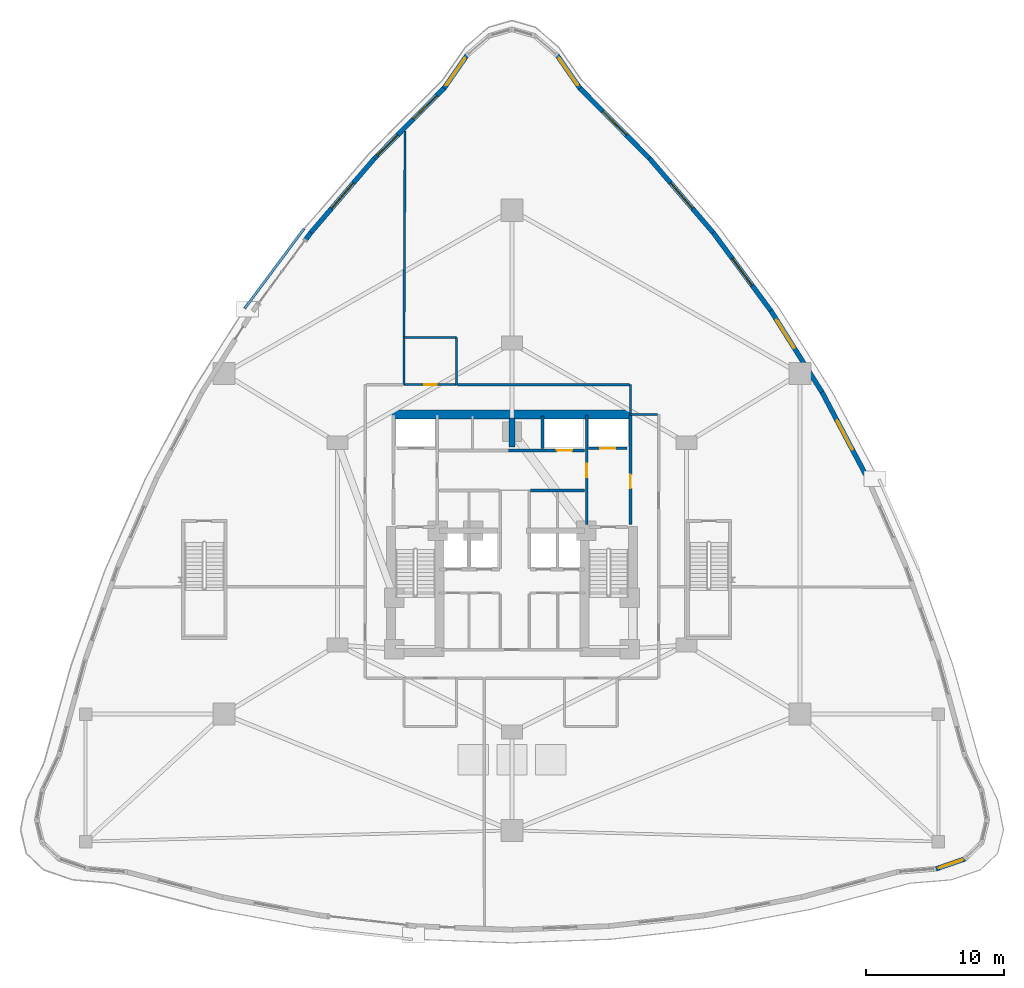
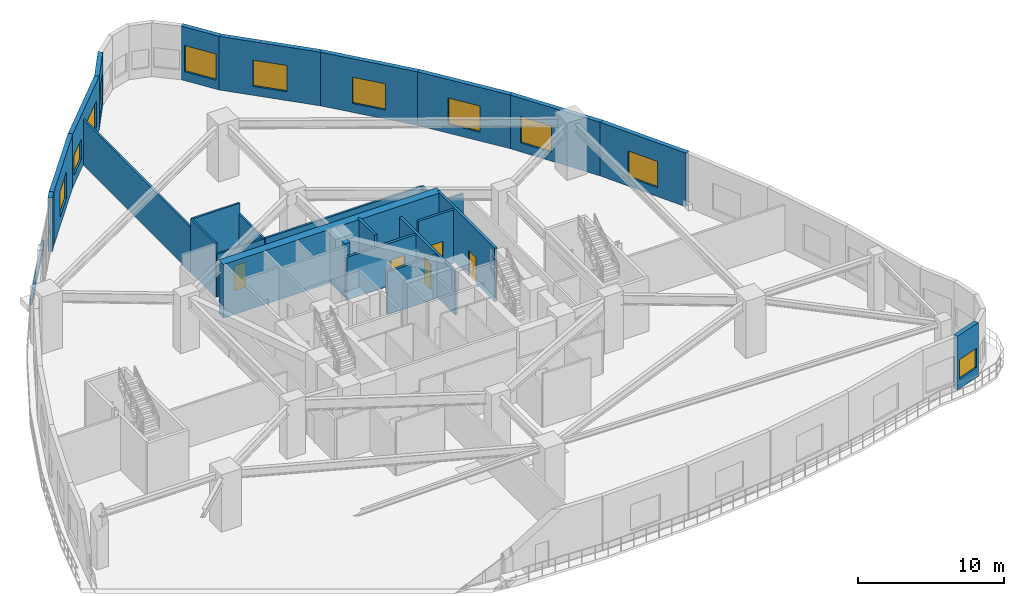
# One storey, part 18 of 23: 28 walls, 11 windows, 5 doors, 16 openings.
"""IFC4 building model written with IfcOpenShell, lengths in metres."""

from ifc_helpers import new_model, si_unit, direction, frame, frame_2d, origin, place, context, subcontext, project, spatial, rectangle, extrude, material, layer, layer_set, type_object, element, fill, save


model = new_model("IFC4")

# Units and contexts
model_context = context("Model", 3, precision=1e-05, world=origin(), true_north=direction((0.0, 1.0)))
body_context = subcontext(model_context, "Body", "Model", "MODEL_VIEW")
ifc_project = project(units=[si_unit("LENGTHUNIT", "METRE"), si_unit("AREAUNIT", "SQUARE_METRE"), si_unit("VOLUMEUNIT", "CUBIC_METRE"), si_unit("PLANEANGLEUNIT", "RADIAN"), si_unit("MASSUNIT", "GRAM", prefix="KILO")], contexts=[model_context])

# Site, building, storey
site_placement = place(None, origin())
site = spatial("IfcSite", under=ifc_project, at=site_placement, CompositionType="ELEMENT")
building_placement = place(site_placement, origin())
building = spatial("IfcBuilding", under=site, at=building_placement, Name="Miruveldt Soraemaru", CompositionType="ELEMENT")
storey_placement = place(building_placement, frame((0.0, 0.0, 9.60009765625)))
storey = spatial("IfcBuildingStorey", under=building, at=storey_placement, Name="L03", CompositionType="ELEMENT", Elevation=9.60009765625)

# Walls
ifc_material_1 = material(Name="Concrete C70/85 (70 MPa)", Category="concrete")
ifc_layer_1 = layer(ifc_material_1, 0.5, Name="Concrete C70/85 (70 MPa)", Category="concrete")
ifc_layer_set_1 = layer_set([ifc_layer_1], Name="Concrete C70/85 (70 MPa)")
wall_type_1 = type_object("IfcWallType", Name="WALL-BW-500", PredefinedType="SHEAR", material=ifc_layer_set_1)
wall_1_placement = place(storey_placement, frame((44.0, 50.10009765625, 0.0), z_axis=(0.0, 0.0, 1.0), x_axis=(0.0, 1.0, 0.0)))
element("IfcWall", 1, at=wall_1_placement, inside=storey, type_object=wall_type_1, Name="L03 Core Buttress Shear Wall BN", PredefinedType="SHEAR", context=body_context, shape_type="SweptSolid", body=[
    extrude(rectangle(XDim=2.099853515625, YDim=0.39990234375, at=frame_2d((1.0498046875, 0.0))), origin(), (0.0, 0.0, 1.0), 4.5),
])
ifc_material_2 = material(Name="Concrete C80/95 (80 MPa)", Category="concrete")
ifc_layer_2 = layer(ifc_material_2, 0.64990234375, Name="Concrete C80/95 (80 MPa)", Category="concrete")
ifc_layer_set_2 = layer_set([ifc_layer_2], Name="Concrete C80/95 (80 MPa)")
wall_type_2 = type_object("IfcWallType", Name="WALL-CW-650", PredefinedType="SHEAR", material=ifc_layer_set_2)
wall_2_placement = place(storey_placement, frame((35.35009765625, 52.449951171875, 0.0), z_axis=(0.0, 0.0, 1.0), x_axis=(1.0, 0.0, 0.0)))
element("IfcWall", 2, at=wall_2_placement, inside=storey, type_object=wall_type_2, Name="L03 Central Core Shear Wall N", PredefinedType="SHEAR", context=body_context, shape_type="SweptSolid", body=[
    extrude(rectangle(XDim=17.2998046875, YDim=0.64990234375, at=frame_2d((8.64990234375, 0.0))), origin(), (0.0, 0.0, 1.0), 4.5),
])

# Wall, opening, window
ifc_material_3 = material(Name="Precast concrete C45/55 (45 MPa)", Category="concrete")
ifc_layer_3 = layer(ifc_material_3, 0.340087890625, Name="Precast concrete C45/55 (45 MPa)", Category="concrete")
ifc_layer_set_3 = layer_set([ifc_layer_3], Name="Precast concrete C45/55 (45 MPa)")
wall_type_3 = type_object("IfcWallType", Name="WALL-EXT-PC340", PredefinedType="SOLIDWALL", material=ifc_layer_set_3)
wall_3_placement = place(storey_placement, frame((48.906005859375, 76.00830078125, 0.0), z_axis=(0.0, 0.0, 1.0), x_axis=(-0.569495942356, 0.821994143313, 0.0)))
wall_3 = element("IfcWall", 3, at=wall_3_placement, inside=storey, type_object=wall_type_3, Name="L03 Precast Concrete Facade Wall 1", PredefinedType="SOLIDWALL", context=body_context, shape_type="SweptSolid", body=[
    extrude(rectangle(XDim=2.9296875, YDim=0.340087890625, at=frame_2d((1.46484375, 0.0))), origin(), (0.0, 0.0, 1.0), 4.5),
])
opening_1_placement = place(wall_3_placement, frame((0.264892578125, 0.0, 0.75)))
opening_1 = element("IfcOpeningElement", 4, at=opening_1_placement, cuts=wall_3, Name="Opening WN-5", PredefinedType="OPENING", context=body_context, shape_type="SweptSolid", body=[
    extrude(rectangle(XDim=2.39990234375, YDim=2.199951171875, at=frame_2d((1.199951171875, 1.10009765625))), frame((0.0, 0.18017578125, 0.0), z_axis=(0.0, -1.0, 0.0), x_axis=(1.0, 0.0, 0.0)), (0.0, 0.0, 1.0), 0.360107421875),
])
ifc_material_4 = material(Name="Triple low-e insulated glazing", Category="glass")
window_type_1 = type_object("IfcWindowType", Name="WIN-PODM-2400x2200", PartitioningType="SINGLE_PANEL", PredefinedType="WINDOW", material=ifc_material_4)
window_1_placement = place(opening_1_placement, origin())
window_1 = element("IfcWindow", 5, at=window_1_placement, inside=storey, type_object=window_type_1, Name="L03 Punched Triple-Glazed Window 01.1", OverallHeight=2.199951171875, OverallWidth=2.39990234375, PartitioningType="SINGLE_PANEL", PredefinedType="WINDOW", context=body_context, shape_type="SweptSolid", body=[
    extrude(rectangle(XDim=2.39990234375, YDim=2.199951171875, at=frame_2d((1.199951171875, 1.10009765625))), frame((0.0, 0.030029296875, 0.0), z_axis=(0.0, -1.0, 0.0), x_axis=(1.0, 0.0, 0.0)), (0.0, 0.0, 1.0), 0.06005859375),
])
fill(opening_1, window_1)

wall_4_placement = place(storey_placement, frame((40.762451171875, 78.41650390625, 0.0), z_axis=(0.0, 0.0, 1.0), x_axis=(-0.569495942356, -0.821994143313, 0.0)))
wall_4 = element("IfcWall", 6, at=wall_4_placement, inside=storey, type_object=wall_type_3, Name="L03 Precast Concrete Facade Wall 6", PredefinedType="SOLIDWALL", context=body_context, shape_type="SweptSolid", body=[
    extrude(rectangle(XDim=2.9296875, YDim=0.340087890625, at=frame_2d((1.46484375, 0.0))), origin(), (0.0, 0.0, 1.0), 4.5),
])
opening_2_placement = place(wall_4_placement, frame((0.264892578125, 0.0, 0.75)))
opening_2 = element("IfcOpeningElement", 7, at=opening_2_placement, cuts=wall_4, Name="Opening WN-5", PredefinedType="OPENING", context=body_context, shape_type="SweptSolid", body=[
    extrude(rectangle(XDim=2.39990234375, YDim=2.199951171875, at=frame_2d((1.199951171875, 1.10009765625))), frame((0.0, 0.18017578125, 0.0), z_axis=(0.0, -1.0, 0.0), x_axis=(1.0, 0.0, 0.0)), (0.0, 0.0, 1.0), 0.360107421875),
])
window_2_placement = place(opening_2_placement, origin())
window_2 = element("IfcWindow", 8, at=window_2_placement, inside=storey, type_object=window_type_1, Name="L03 Punched Triple-Glazed Window 06.1", OverallHeight=2.199951171875, OverallWidth=2.39990234375, PartitioningType="SINGLE_PANEL", PredefinedType="WINDOW", context=body_context, shape_type="SweptSolid", body=[
    extrude(rectangle(XDim=2.39990234375, YDim=2.199951171875, at=frame_2d((1.199951171875, 1.10009765625))), frame((0.0, 0.030029296875, 0.0), z_axis=(0.0, -1.0, 0.0), x_axis=(1.0, 0.0, 0.0)), (0.0, 0.0, 1.0), 0.06005859375),
])
fill(opening_2, window_2)

# Wall, openings, windows
wall_5_placement = place(storey_placement, frame((39.138427734375, 76.06201171875, 0.0), z_axis=(0.0, 0.0, 1.0), x_axis=(-0.703481917412, -0.71071315724, 0.0)))
wall_5 = element("IfcWall", 9, at=wall_5_placement, inside=storey, type_object=wall_type_3, Name="L03 Precast Concrete Facade Wall 7", PredefinedType="SOLIDWALL", context=body_context, shape_type="SweptSolid", body=[
    extrude(rectangle(XDim=7.2587890625, YDim=0.340087890625, at=frame_2d((3.62939453125, 0.0))), origin(), (0.0, 0.0, 1.0), 4.5),
])
opening_3_placement = place(wall_5_placement, frame((0.80908203125, 0.0, 0.75)))
opening_3 = element("IfcOpeningElement", 10, at=opening_3_placement, cuts=wall_5, Name="Opening WN-5", PredefinedType="OPENING", context=body_context, shape_type="SweptSolid", body=[
    extrude(rectangle(XDim=2.39990234375, YDim=2.199951171875, at=frame_2d((1.199951171875, 1.10009765625))), frame((0.0, 0.18017578125, 0.0), z_axis=(0.0, -1.0, 0.0), x_axis=(1.0, 0.0, 0.0)), (0.0, 0.0, 1.0), 0.360107421875),
])
opening_4_placement = place(wall_5_placement, frame((4.827880859375, 0.0, 0.800048828125)))
opening_4 = element("IfcOpeningElement", 11, at=opening_4_placement, cuts=wall_5, Name="Opening WN-1", PredefinedType="OPENING", context=body_context, shape_type="SweptSolid", body=[
    extrude(rectangle(XDim=2.10009765625, YDim=1.699951171875, at=frame_2d((1.050048828125, 0.85009765625))), frame((0.0, 0.18017578125, 0.0), z_axis=(0.0, -1.0, 0.0), x_axis=(1.0, 0.0, 0.0)), (0.0, 0.0, 1.0), 0.360107421875),
])
window_3_placement = place(opening_3_placement, origin())
window_3 = element("IfcWindow", 12, at=window_3_placement, inside=storey, type_object=window_type_1, Name="L03 Punched Triple-Glazed Window 07.1", OverallHeight=2.199951171875, OverallWidth=2.39990234375, PartitioningType="SINGLE_PANEL", PredefinedType="WINDOW", context=body_context, shape_type="SweptSolid", body=[
    extrude(rectangle(XDim=2.39990234375, YDim=2.199951171875, at=frame_2d((1.199951171875, 1.10009765625))), frame((0.0, 0.030029296875, 0.0), z_axis=(0.0, -1.0, 0.0), x_axis=(1.0, 0.0, 0.0)), (0.0, 0.0, 1.0), 0.06005859375),
])
fill(opening_3, window_3)
window_type_2 = type_object("IfcWindowType", Name="WIN-PUNCH-2100x1700", PartitioningType="SINGLE_PANEL", PredefinedType="WINDOW", material=ifc_material_4)
window_4_placement = place(opening_4_placement, origin())
window_4 = element("IfcWindow", 13, at=window_4_placement, inside=storey, type_object=window_type_2, Name="L03 Punched Triple-Glazed Window 07.2", OverallHeight=1.699951171875, OverallWidth=2.10009765625, PartitioningType="SINGLE_PANEL", PredefinedType="WINDOW", context=body_context, shape_type="SweptSolid", body=[
    extrude(rectangle(XDim=2.10009765625, YDim=1.699951171875, at=frame_2d((1.050048828125, 0.85009765625))), frame((0.0, 0.030029296875, 0.0), z_axis=(0.0, -1.0, 0.0), x_axis=(1.0, 0.0, 0.0)), (0.0, 0.0, 1.0), 0.06005859375),
])
fill(opening_4, window_4)

# Wall, opening, window
wall_6_placement = place(storey_placement, frame((34.079345703125, 70.95458984375, 0.0), z_axis=(0.0, 0.0, 1.0), x_axis=(-0.651033354251, -0.759049123346, 0.0)))
wall_6 = element("IfcWall", 14, at=wall_6_placement, inside=storey, type_object=wall_type_3, Name="L03 Precast Concrete Facade Wall 8", PredefinedType="SOLIDWALL", context=body_context, shape_type="SweptSolid", body=[
    extrude(rectangle(XDim=7.14453125, YDim=0.340087890625, at=frame_2d((3.572265625, 0.0))), origin(), (0.0, 0.0, 1.0), 4.5),
])
opening_5_placement = place(wall_6_placement, frame((2.3720703125, 0.0, 0.75)))
opening_5 = element("IfcOpeningElement", 15, at=opening_5_placement, cuts=wall_6, Name="Opening WN-5", PredefinedType="OPENING", context=body_context, shape_type="SweptSolid", body=[
    extrude(rectangle(XDim=2.39990234375, YDim=2.199951171875, at=frame_2d((1.199951171875, 1.10009765625))), frame((0.0, 0.18017578125, 0.0), z_axis=(0.0, -1.0, 0.0), x_axis=(1.0, 0.0, 0.0)), (0.0, 0.0, 1.0), 0.360107421875),
])
window_5_placement = place(opening_5_placement, origin())
window_5 = element("IfcWindow", 16, at=window_5_placement, inside=storey, type_object=window_type_1, Name="L03 Punched Triple-Glazed Window 08.1", OverallHeight=2.199951171875, OverallWidth=2.39990234375, PartitioningType="SINGLE_PANEL", PredefinedType="WINDOW", context=body_context, shape_type="SweptSolid", body=[
    extrude(rectangle(XDim=2.39990234375, YDim=2.199951171875, at=frame_2d((1.199951171875, 1.10009765625))), frame((0.0, 0.030029296875, 0.0), z_axis=(0.0, -1.0, 0.0), x_axis=(1.0, 0.0, 0.0)), (0.0, 0.0, 1.0), 0.06005859375),
])
fill(opening_5, window_5)

# Wall
wall_7_placement = place(storey_placement, frame((29.4716796875, 65.586181640625, 0.0), z_axis=(0.0, 0.0, 1.0), x_axis=(-0.593777585695, -0.804629218166, 0.0)))
element("IfcWall", 17, at=wall_7_placement, inside=storey, type_object=wall_type_3, Name="L03 Precast Pier Left 9", PredefinedType="SOLIDWALL", context=body_context, shape_type="SweptSolid", body=[
    extrude(rectangle(XDim=0.705078125, YDim=0.340087890625, at=frame_2d((0.3525390625, 0.0))), origin(), (0.0, 0.0, 1.0), 4.5),
])

# Wall, opening, window
wall_8_placement = place(storey_placement, frame((74.63037109375, 19.62353515625, 0.0), z_axis=(0.0, 0.0, 1.0), x_axis=(0.944897315519, 0.327366863205, 0.0)))
wall_8 = element("IfcWall", 18, at=wall_8_placement, inside=storey, type_object=wall_type_3, Name="L03 Precast Concrete Facade Wall 30", PredefinedType="SOLIDWALL", context=body_context, shape_type="SweptSolid", body=[
    extrude(rectangle(XDim=2.224609375, YDim=0.340087890625, at=frame_2d((1.1123046875, 0.0))), origin(), (0.0, 0.0, 1.0), 4.5),
])
opening_6_placement = place(wall_8_placement, frame((0.212890625, 0.0, 0.800048828125)))
opening_6 = element("IfcOpeningElement", 19, at=opening_6_placement, cuts=wall_8, Name="Opening WN-2", PredefinedType="OPENING", context=body_context, shape_type="SweptSolid", body=[
    extrude(rectangle(XDim=1.800048828125, YDim=1.64990234375, at=frame_2d((0.89990234375, 0.824951171875))), frame((0.0, 0.18017578125, 0.0), z_axis=(0.0, -1.0, 0.0), x_axis=(1.0, 0.0, 0.0)), (0.0, 0.0, 1.0), 0.360107421875),
])
window_type_3 = type_object("IfcWindowType", Name="WIN-PUNCH-1800x1650", PartitioningType="SINGLE_PANEL", PredefinedType="WINDOW", material=ifc_material_4)
window_6_placement = place(opening_6_placement, origin())
window_6 = element("IfcWindow", 20, at=window_6_placement, inside=storey, type_object=window_type_3, Name="L03 Punched Triple-Glazed Window 30.1", OverallHeight=1.64990234375, OverallWidth=1.800048828125, PartitioningType="SINGLE_PANEL", PredefinedType="WINDOW", context=body_context, shape_type="SweptSolid", body=[
    extrude(rectangle(XDim=1.800048828125, YDim=1.64990234375, at=frame_2d((0.89990234375, 0.824951171875))), frame((0.0, 0.030029296875, 0.0), z_axis=(0.0, -1.0, 0.0), x_axis=(1.0, 0.0, 0.0)), (0.0, 0.0, 1.0), 0.06005859375),
])
fill(opening_6, window_6)

wall_9_placement = place(storey_placement, frame((69.673095703125, 47.85302734375, 0.0), z_axis=(0.0, 0.0, 1.0), x_axis=(-0.467220437821, 0.884140861222, 0.0)))
wall_9 = element("IfcWall", 21, at=wall_9_placement, inside=storey, type_object=wall_type_3, Name="L03 Precast Concrete Facade Wall 38", PredefinedType="SOLIDWALL", context=body_context, shape_type="SweptSolid", body=[
    extrude(rectangle(XDim=7.028076171875, YDim=0.340087890625, at=frame_2d((3.51416015625, 0.0))), origin(), (0.0, 0.0, 1.0), 4.5),
])
opening_7_placement = place(wall_9_placement, frame((2.31396484375, 0.0, 0.75)))
opening_7 = element("IfcOpeningElement", 22, at=opening_7_placement, cuts=wall_9, Name="Opening WN-5", PredefinedType="OPENING", context=body_context, shape_type="SweptSolid", body=[
    extrude(rectangle(XDim=2.39990234375, YDim=2.199951171875, at=frame_2d((1.199951171875, 1.10009765625))), frame((0.0, 0.18017578125, 0.0), z_axis=(0.0, -1.0, 0.0), x_axis=(1.0, 0.0, 0.0)), (0.0, 0.0, 1.0), 0.360107421875),
])
window_7_placement = place(opening_7_placement, origin())
window_7 = element("IfcWindow", 23, at=window_7_placement, inside=storey, type_object=window_type_1, Name="L03 Punched Triple-Glazed Window 38.1", OverallHeight=2.199951171875, OverallWidth=2.39990234375, PartitioningType="SINGLE_PANEL", PredefinedType="WINDOW", context=body_context, shape_type="SweptSolid", body=[
    extrude(rectangle(XDim=2.39990234375, YDim=2.199951171875, at=frame_2d((1.199951171875, 1.10009765625))), frame((0.0, 0.030029296875, 0.0), z_axis=(0.0, -1.0, 0.0), x_axis=(1.0, 0.0, 0.0)), (0.0, 0.0, 1.0), 0.06005859375),
])
fill(opening_7, window_7)

wall_10_placement = place(storey_placement, frame((66.42431640625, 54.00634765625, 0.0), z_axis=(0.0, 0.0, 1.0), x_axis=(-0.532076922899, 0.846696018721, 0.0)))
wall_10 = element("IfcWall", 24, at=wall_10_placement, inside=storey, type_object=wall_type_3, Name="L03 Precast Concrete Facade Wall 39", PredefinedType="SOLIDWALL", context=body_context, shape_type="SweptSolid", body=[
    extrude(rectangle(XDim=7.028076171875, YDim=0.340087890625, at=frame_2d((3.51416015625, 0.0))), origin(), (0.0, 0.0, 1.0), 4.5),
])
opening_8_placement = place(wall_10_placement, frame((3.821044921875, 0.0, 0.75)))
opening_8 = element("IfcOpeningElement", 25, at=opening_8_placement, cuts=wall_10, Name="Opening WN-5", PredefinedType="OPENING", context=body_context, shape_type="SweptSolid", body=[
    extrude(rectangle(XDim=2.39990234375, YDim=2.199951171875, at=frame_2d((1.199951171875, 1.10009765625))), frame((0.0, 0.18017578125, 0.0), z_axis=(0.0, -1.0, 0.0), x_axis=(1.0, 0.0, 0.0)), (0.0, 0.0, 1.0), 0.360107421875),
])
window_8_placement = place(opening_8_placement, origin())
window_8 = element("IfcWindow", 26, at=window_8_placement, inside=storey, type_object=window_type_1, Name="L03 Punched Triple-Glazed Window 39.1", OverallHeight=2.199951171875, OverallWidth=2.39990234375, PartitioningType="SINGLE_PANEL", PredefinedType="WINDOW", context=body_context, shape_type="SweptSolid", body=[
    extrude(rectangle(XDim=2.39990234375, YDim=2.199951171875, at=frame_2d((1.199951171875, 1.10009765625))), frame((0.0, 0.030029296875, 0.0), z_axis=(0.0, -1.0, 0.0), x_axis=(1.0, 0.0, 0.0)), (0.0, 0.0, 1.0), 0.06005859375),
])
fill(opening_8, window_8)

wall_11_placement = place(storey_placement, frame((62.72412109375, 59.899169921875, 0.0), z_axis=(0.0, 0.0, 1.0), x_axis=(-0.593691488792, 0.804692746417, 0.0)))
wall_11 = element("IfcWall", 27, at=wall_11_placement, inside=storey, type_object=wall_type_3, Name="L03 Precast Concrete Facade Wall 40", PredefinedType="SOLIDWALL", context=body_context, shape_type="SweptSolid", body=[
    extrude(rectangle(XDim=7.0673828125, YDim=0.340087890625, at=frame_2d((3.53369140625, 0.0))), origin(), (0.0, 0.0, 1.0), 4.5),
])
opening_9_placement = place(wall_11_placement, frame((2.3330078125, 0.0, 0.75)))
opening_9 = element("IfcOpeningElement", 28, at=opening_9_placement, cuts=wall_11, Name="Opening WN-5", PredefinedType="OPENING", context=body_context, shape_type="SweptSolid", body=[
    extrude(rectangle(XDim=2.39990234375, YDim=2.199951171875, at=frame_2d((1.199951171875, 1.10009765625))), frame((0.0, 0.18017578125, 0.0), z_axis=(0.0, -1.0, 0.0), x_axis=(1.0, 0.0, 0.0)), (0.0, 0.0, 1.0), 0.360107421875),
])
window_9_placement = place(opening_9_placement, origin())
window_9 = element("IfcWindow", 29, at=window_9_placement, inside=storey, type_object=window_type_1, Name="L03 Punched Triple-Glazed Window 40.1", OverallHeight=2.199951171875, OverallWidth=2.39990234375, PartitioningType="SINGLE_PANEL", PredefinedType="WINDOW", context=body_context, shape_type="SweptSolid", body=[
    extrude(rectangle(XDim=2.39990234375, YDim=2.199951171875, at=frame_2d((1.199951171875, 1.10009765625))), frame((0.0, 0.030029296875, 0.0), z_axis=(0.0, -1.0, 0.0), x_axis=(1.0, 0.0, 0.0)), (0.0, 0.0, 1.0), 0.06005859375),
])
fill(opening_9, window_9)

wall_12_placement = place(storey_placement, frame((58.572021484375, 65.531494140625, 0.0), z_axis=(0.0, 0.0, 1.0), x_axis=(-0.651033354251, 0.759049123346, 0.0)))
wall_12 = element("IfcWall", 30, at=wall_12_placement, inside=storey, type_object=wall_type_3, Name="L03 Precast Concrete Facade Wall 41", PredefinedType="SOLIDWALL", context=body_context, shape_type="SweptSolid", body=[
    extrude(rectangle(XDim=7.14453125, YDim=0.340087890625, at=frame_2d((3.572265625, 0.0))), origin(), (0.0, 0.0, 1.0), 4.5),
])
opening_10_placement = place(wall_12_placement, frame((2.3720703125, 0.0, 0.75)))
opening_10 = element("IfcOpeningElement", 31, at=opening_10_placement, cuts=wall_12, Name="Opening WN-5", PredefinedType="OPENING", context=body_context, shape_type="SweptSolid", body=[
    extrude(rectangle(XDim=2.39990234375, YDim=2.199951171875, at=frame_2d((1.199951171875, 1.10009765625))), frame((0.0, 0.18017578125, 0.0), z_axis=(0.0, -1.0, 0.0), x_axis=(1.0, 0.0, 0.0)), (0.0, 0.0, 1.0), 0.360107421875),
])
window_10_placement = place(opening_10_placement, origin())
window_10 = element("IfcWindow", 32, at=window_10_placement, inside=storey, type_object=window_type_1, Name="L03 Punched Triple-Glazed Window 41.1", OverallHeight=2.199951171875, OverallWidth=2.39990234375, PartitioningType="SINGLE_PANEL", PredefinedType="WINDOW", context=body_context, shape_type="SweptSolid", body=[
    extrude(rectangle(XDim=2.39990234375, YDim=2.199951171875, at=frame_2d((1.199951171875, 1.10009765625))), frame((0.0, 0.030029296875, 0.0), z_axis=(0.0, -1.0, 0.0), x_axis=(1.0, 0.0, 0.0)), (0.0, 0.0, 1.0), 0.06005859375),
])
fill(opening_10, window_10)

wall_13_placement = place(storey_placement, frame((53.968017578125, 70.903076171875, 0.0), z_axis=(0.0, 0.0, 1.0), x_axis=(-0.703481917412, 0.71071315724, 0.0)))
wall_13 = element("IfcWall", 33, at=wall_13_placement, inside=storey, type_object=wall_type_3, Name="L03 Precast Concrete Facade Wall 42", PredefinedType="SOLIDWALL", context=body_context, shape_type="SweptSolid", body=[
    extrude(rectangle(XDim=7.2587890625, YDim=0.340087890625, at=frame_2d((3.62939453125, 0.0))), origin(), (0.0, 0.0, 1.0), 4.5),
])
opening_11_placement = place(wall_13_placement, frame((2.428955078125, 0.0, 0.75)))
opening_11 = element("IfcOpeningElement", 34, at=opening_11_placement, cuts=wall_13, Name="Opening WN-5", PredefinedType="OPENING", context=body_context, shape_type="SweptSolid", body=[
    extrude(rectangle(XDim=2.39990234375, YDim=2.199951171875, at=frame_2d((1.199951171875, 1.10009765625))), frame((0.0, 0.18017578125, 0.0), z_axis=(0.0, -1.0, 0.0), x_axis=(1.0, 0.0, 0.0)), (0.0, 0.0, 1.0), 0.360107421875),
])
window_11_placement = place(opening_11_placement, origin())
window_11 = element("IfcWindow", 35, at=window_11_placement, inside=storey, type_object=window_type_1, Name="L03 Punched Triple-Glazed Window 42.1", OverallHeight=2.199951171875, OverallWidth=2.39990234375, PartitioningType="SINGLE_PANEL", PredefinedType="WINDOW", context=body_context, shape_type="SweptSolid", body=[
    extrude(rectangle(XDim=2.39990234375, YDim=2.199951171875, at=frame_2d((1.199951171875, 1.10009765625))), frame((0.0, 0.030029296875, 0.0), z_axis=(0.0, -1.0, 0.0), x_axis=(1.0, 0.0, 0.0)), (0.0, 0.0, 1.0), 0.06005859375),
])
fill(opening_11, window_11)

# Wall, opening, door
ifc_material_5 = material(Name="Gypsum plasterboard lining", Category="gypsum")
ifc_layer_4 = layer(ifc_material_5, 0.14990234375, Name="Gypsum plasterboard lining", Category="gypsum")
ifc_layer_set_4 = layer_set([ifc_layer_4], Name="Gypsum plasterboard lining")
wall_type_4 = type_object("IfcWallType", Name="WALL-INT-PLUMB", PredefinedType="PLUMBINGWALL", material=ifc_layer_set_4)
wall_14_placement = place(storey_placement, frame((40.0, 54.60009765625, 0.0), z_axis=(0.0, 0.0, 1.0), x_axis=(-1.0, 0.0, 0.0)))
wall_14 = element("IfcWall", 36, at=wall_14_placement, inside=storey, type_object=wall_type_4, Name="L03 Partition Wall 1", PredefinedType="PLUMBINGWALL", context=body_context, shape_type="SweptSolid", body=[
    extrude(rectangle(XDim=3.800048828125, YDim=0.14990234375, at=frame_2d((1.89990234375, 0.0))), origin(), (0.0, 0.0, 1.0), 3.587890625),
])
opening_12_placement = place(wall_14_placement, frame((1.449951171875, 0.0, 0.0)))
opening_12 = element("IfcOpeningElement", 37, at=opening_12_placement, cuts=wall_14, Name="Opening D3", PredefinedType="OPENING", context=body_context, shape_type="SweptSolid", body=[
    extrude(rectangle(XDim=0.89990234375, YDim=2.10009765625, at=frame_2d((0.449951171875, 1.050048828125))), frame((0.0, 0.0849609375, 0.0), z_axis=(0.0, -1.0, 0.0), x_axis=(1.0, 0.0, 0.0)), (0.0, 0.0, 1.0), 0.169921875),
])
ifc_material_6 = material(Name="Anodised aluminium EN AW-6063 T6", Category="aluminium")
door_type_1 = type_object("IfcDoorType", Name="DOOR-INT-900", OperationType="NOTDEFINED", PredefinedType="DOOR", material=ifc_material_6)
door_1_placement = place(opening_12_placement, origin())
door_1 = element("IfcDoor", 38, at=door_1_placement, inside=storey, type_object=door_type_1, Name="L03 Public Male Restroom Door", OperationType="SINGLE_SWING_LEFT", OverallHeight=2.10009765625, OverallWidth=0.89990234375, PredefinedType="DOOR", context=body_context, shape_type="SweptSolid", body=[
    extrude(rectangle(XDim=0.89990234375, YDim=2.10009765625, at=frame_2d((0.449951171875, 1.050048828125))), frame((0.0, 0.02490234375, 0.0), z_axis=(0.0, -1.0, 0.0), x_axis=(1.0, 0.0, 0.0)), (0.0, 0.0, 1.0), 0.050048828125),
])
fill(opening_12, door_1)

# Walls
wall_15_placement = place(storey_placement, frame((40.0, 58.0, 0.0), z_axis=(0.0, 0.0, 1.0), x_axis=(-1.0, 0.0, 0.0)))
element("IfcWall", 39, at=wall_15_placement, inside=storey, type_object=wall_type_4, Name="L03 Partition Wall 18", PredefinedType="PLUMBINGWALL", context=body_context, shape_type="SweptSolid", body=[
    extrude(rectangle(XDim=3.800048828125, YDim=0.14990234375, at=frame_2d((1.89990234375, 0.0))), origin(), (0.0, 0.0, 1.0), 4.5),
])
wall_16_placement = place(storey_placement, frame((36.199951171875, 58.0, 0.0), z_axis=(0.0, 0.0, 1.0), x_axis=(0.0, -1.0, 0.0)))
element("IfcWall", 40, at=wall_16_placement, inside=storey, type_object=wall_type_4, Name="L03 Partition Wall 16", PredefinedType="PLUMBINGWALL", context=body_context, shape_type="SweptSolid", body=[
    extrude(rectangle(XDim=3.39990234375, YDim=0.14990234375, at=frame_2d((1.699951171875, 0.0))), origin(), (0.0, 0.0, 1.0), 4.5),
])
wall_17_placement = place(storey_placement, frame((40.0, 54.60009765625, 0.0), z_axis=(0.0, 0.0, 1.0), x_axis=(0.0, 1.0, 0.0)))
element("IfcWall", 41, at=wall_17_placement, inside=storey, type_object=wall_type_4, Name="L03 Partition Wall 17", PredefinedType="PLUMBINGWALL", context=body_context, shape_type="SweptSolid", body=[
    extrude(rectangle(XDim=3.39990234375, YDim=0.14990234375, at=frame_2d((1.699951171875, 0.0))), origin(), (0.0, 0.0, 1.0), 3.587890625),
])
ifc_material_7 = material(Name="Concrete C40/50 (40 MPa)", Category="concrete")
ifc_layer_5 = layer(ifc_material_7, 0.159912109375, Name="Concrete C40/50 (40 MPa)", Category="concrete")
ifc_layer_set_5 = layer_set([ifc_layer_5], Name="Concrete C40/50 (40 MPa)")
wall_type_5 = type_object("IfcWallType", Name="WALL-INT-RC160", PredefinedType="SOLIDWALL", material=ifc_layer_set_5)
wall_18_placement = place(storey_placement, frame((36.199951171875, 58.0, 0.0), z_axis=(0.0, 0.0, 1.0), x_axis=(0.00502818965, 0.999987358575, 0.0)))
element("IfcWall", 42, at=wall_18_placement, inside=storey, type_object=wall_type_5, Name="L03 Partition Wall 30", PredefinedType="SOLIDWALL", context=body_context, shape_type="SweptSolid", body=[
    extrude(rectangle(XDim=14.90625, YDim=0.159912109375, at=frame_2d((7.453125, 0.0))), origin(), (0.0, 0.0, 1.0), 3.787841796875),
])
wall_19_placement = place(storey_placement, frame((52.469970703125, 54.60009765625, 0.0), z_axis=(0.0, 0.0, 1.0), x_axis=(-1.0, 0.0, 0.0)))
element("IfcWall", 43, at=wall_19_placement, inside=storey, type_object=wall_type_5, Name="L03 Partition Wall 15", PredefinedType="SOLIDWALL", context=body_context, shape_type="SweptSolid", body=[
    extrude(rectangle(XDim=12.389892578125, YDim=0.159912109375, at=frame_2d((6.19482421875, 0.0))), origin(), (0.0, 0.0, 1.0), 3.587890625),
])
wall_20_placement = place(storey_placement, frame((52.550048828125, 52.449951171875, 0.0), z_axis=(0.0, 0.0, 1.0), x_axis=(0.0, 1.0, 0.0)))
element("IfcWall", 44, at=wall_20_placement, inside=storey, type_object=wall_type_5, Name="L03 Partition Wall 14", PredefinedType="SOLIDWALL", context=body_context, shape_type="SweptSolid", body=[
    extrude(rectangle(XDim=2.150146484375, YDim=0.159912109375, at=frame_2d((1.0751953125, 0.0))), origin(), (0.0, 0.0, 1.0), 3.587890625),
])
wall_21_placement = place(storey_placement, frame((54.52001953125, 52.449951171875, 0.0), z_axis=(0.0, 0.0, 1.0), x_axis=(-1.0, 0.0, 0.0)))
element("IfcWall", 45, at=wall_21_placement, inside=storey, type_object=wall_type_5, Name="L03 Partition Wall 13", PredefinedType="SOLIDWALL", context=body_context, shape_type="SweptSolid", body=[
    extrude(rectangle(XDim=1.969970703125, YDim=0.159912109375, at=frame_2d((0.98486328125, 0.0))), origin(), (0.0, 0.0, 1.0), 3.587890625),
])

# Wall, opening, door
ifc_layer_6 = layer(ifc_material_7, 0.199951171875, Name="Concrete C40/50 (40 MPa)", Category="concrete")
ifc_layer_set_6 = layer_set([ifc_layer_6], Name="Concrete C40/50 (40 MPa)")
wall_type_6 = type_object("IfcWallType", Name="WALL-INT-RC200", PredefinedType="SOLIDWALL", material=ifc_layer_set_6)
wall_22_placement = place(storey_placement, frame((52.550048828125, 44.5, 0.0), z_axis=(0.0, 0.0, 1.0), x_axis=(0.0, 1.0, 0.0)))
wall_22 = element("IfcWall", 46, at=wall_22_placement, inside=storey, type_object=wall_type_6, Name="L03 Core Compartment Wall FFE-OUT", PredefinedType="SOLIDWALL", context=body_context, shape_type="SweptSolid", body=[
    extrude(rectangle(XDim=7.919921875, YDim=0.199951171875, at=frame_2d((3.9599609375, 0.0))), origin(), (0.0, 0.0, 1.0), 4.5),
])
opening_13_placement = place(wall_22_placement, frame((2.60009765625, 0.0, 0.0)))
opening_13 = element("IfcOpeningElement", 47, at=opening_13_placement, cuts=wall_22, Name="Opening FD1", PredefinedType="OPENING", context=body_context, shape_type="SweptSolid", body=[
    extrude(rectangle(XDim=1.0, YDim=2.14990234375, at=frame_2d((0.5, 1.074951171875))), frame((0.0, 0.10986328125, 0.0), z_axis=(0.0, -1.0, 0.0), x_axis=(1.0, 0.0, 0.0)), (0.0, 0.0, 1.0), 0.219970703125),
])
door_type_2 = type_object("IfcDoorType", Name="DOOR-FD1-1000", OperationType="NOTDEFINED", PredefinedType="DOOR", material=ifc_material_6)
door_2_placement = place(opening_13_placement, frame((1.0, 0.0, 0.0), z_axis=(0.0, 0.0, 1.0), x_axis=(-1.0, 0.0, 0.0)))
door_2 = element("IfcDoor", 48, at=door_2_placement, inside=storey, type_object=door_type_2, Name="L03 East Firefighting Lobby Exit Door", OperationType="SINGLE_SWING_RIGHT", OverallHeight=2.14990234375, OverallWidth=1.0, PredefinedType="DOOR", context=body_context, shape_type="SweptSolid", body=[
    extrude(rectangle(XDim=1.0, YDim=2.14990234375, at=frame_2d((0.5, 1.074951171875))), frame((0.0, 0.02490234375, 0.0), z_axis=(0.0, -1.0, 0.0), x_axis=(1.0, 0.0, 0.0)), (0.0, 0.0, 1.0), 0.050048828125),
])
fill(opening_13, door_2)

wall_23_placement = place(storey_placement, frame((49.39990234375, 44.5, 0.0), z_axis=(0.0, 0.0, 1.0), x_axis=(0.0, 1.0, 0.0)))
wall_23 = element("IfcWall", 49, at=wall_23_placement, inside=storey, type_object=wall_type_6, Name="L03 Core Compartment Wall FFE-IN", PredefinedType="SOLIDWALL", context=body_context, shape_type="SweptSolid", body=[
    extrude(rectangle(XDim=7.919921875, YDim=0.199951171875, at=frame_2d((3.9599609375, 0.0))), origin(), (0.0, 0.0, 1.0), 3.587890625),
])
opening_14_placement = place(wall_23_placement, frame((3.425048828125, 0.0, 0.0)))
opening_14 = element("IfcOpeningElement", 50, at=opening_14_placement, cuts=wall_23, Name="Opening FD2", PredefinedType="OPENING", context=body_context, shape_type="SweptSolid", body=[
    extrude(rectangle(XDim=0.949951171875, YDim=2.14990234375, at=frame_2d((0.47509765625, 1.074951171875))), frame((0.0, 0.10986328125, 0.0), z_axis=(0.0, -1.0, 0.0), x_axis=(1.0, 0.0, 0.0)), (0.0, 0.0, 1.0), 0.219970703125),
])
door_type_3 = type_object("IfcDoorType", Name="DOOR-FD2-950", OperationType="NOTDEFINED", PredefinedType="DOOR", material=ifc_material_6)
door_3_placement = place(opening_14_placement, origin())
door_3 = element("IfcDoor", 51, at=door_3_placement, inside=storey, type_object=door_type_3, Name="L03 Lift Lobby to East Fire Lobby Door", OperationType="SINGLE_SWING_LEFT", OverallHeight=2.14990234375, OverallWidth=0.949951171875, PredefinedType="DOOR", context=body_context, shape_type="SweptSolid", body=[
    extrude(rectangle(XDim=0.949951171875, YDim=2.14990234375, at=frame_2d((0.47509765625, 1.074951171875))), frame((0.0, 0.02490234375, 0.0), z_axis=(0.0, -1.0, 0.0), x_axis=(1.0, 0.0, 0.0)), (0.0, 0.0, 1.0), 0.050048828125),
])
fill(opening_14, door_3)

wall_24_placement = place(storey_placement, frame((43.75, 49.85009765625, 0.0), z_axis=(0.0, 0.0, 1.0), x_axis=(1.0, 0.0, 0.0)))
wall_24 = element("IfcWall", 52, at=wall_24_placement, inside=storey, type_object=wall_type_6, Name="L03 Core Compartment Wall ROWA-SE", PredefinedType="SOLIDWALL", context=body_context, shape_type="SweptSolid", body=[
    extrude(rectangle(XDim=5.5, YDim=0.199951171875, at=frame_2d((2.75, 0.0))), origin(), (0.0, 0.0, 1.0), 3.587890625),
])
opening_15_placement = place(wall_24_placement, frame((3.5, 0.0, 0.0)))
opening_15 = element("IfcOpeningElement", 53, at=opening_15_placement, cuts=wall_24, Name="Opening LD2", PredefinedType="OPENING", context=body_context, shape_type="SweptSolid", body=[
    extrude(rectangle(XDim=1.10009765625, YDim=2.14990234375, at=frame_2d((0.550048828125, 1.074951171875))), frame((0.0, 0.10986328125, 0.0), z_axis=(0.0, -1.0, 0.0), x_axis=(1.0, 0.0, 0.0)), (0.0, 0.0, 1.0), 0.219970703125),
])
door_type_4 = type_object("IfcDoorType", Name="DOOR-LD2-1100", OperationType="SLIDING_TO_LEFT", PredefinedType="DOOR", material=ifc_material_6)
door_4_placement = place(opening_15_placement, origin())
door_4 = element("IfcDoor", 54, at=door_4_placement, inside=storey, type_object=door_type_4, Name="L03 SL-1 Landing Door", OperationType="SLIDING_TO_LEFT", OverallHeight=2.14990234375, OverallWidth=1.10009765625, PredefinedType="DOOR", context=body_context, shape_type="SweptSolid", body=[
    extrude(rectangle(XDim=1.10009765625, YDim=2.14990234375, at=frame_2d((0.550048828125, 1.074951171875))), frame((0.0, 0.02490234375, 0.0), z_axis=(0.0, -1.0, 0.0), x_axis=(1.0, 0.0, 0.0)), (0.0, 0.0, 1.0), 0.050048828125),
])
fill(opening_15, door_4)

wall_25_placement = place(storey_placement, frame((49.52001953125, 50.0, 0.0), z_axis=(0.0, 0.0, 1.0), x_axis=(1.0, 0.0, 0.0)))
wall_25 = element("IfcWall", 55, at=wall_25_placement, inside=storey, type_object=wall_type_6, Name="L03 Core Compartment Wall FFL2-S", PredefinedType="SOLIDWALL", context=body_context, shape_type="SweptSolid", body=[
    extrude(rectangle(XDim=2.800048828125, YDim=0.199951171875, at=frame_2d((1.39990234375, 0.0))), origin(), (0.0, 0.0, 1.0), 4.5),
])
opening_16_placement = place(wall_25_placement, frame((0.85009765625, 0.0, 0.0)))
opening_16 = element("IfcOpeningElement", 56, at=opening_16_placement, cuts=wall_25, Name="Opening LD2", PredefinedType="OPENING", context=body_context, shape_type="SweptSolid", body=[
    extrude(rectangle(XDim=1.10009765625, YDim=2.14990234375, at=frame_2d((0.550048828125, 1.074951171875))), frame((0.0, 0.10986328125, 0.0), z_axis=(0.0, -1.0, 0.0), x_axis=(1.0, 0.0, 0.0)), (0.0, 0.0, 1.0), 0.219970703125),
])
door_5_placement = place(opening_16_placement, origin())
door_5 = element("IfcDoor", 57, at=door_5_placement, inside=storey, type_object=door_type_4, Name="L03 FFL-2 Landing Door", OperationType="SLIDING_TO_LEFT", OverallHeight=2.14990234375, OverallWidth=1.10009765625, PredefinedType="DOOR", context=body_context, shape_type="SweptSolid", body=[
    extrude(rectangle(XDim=1.10009765625, YDim=2.14990234375, at=frame_2d((0.550048828125, 1.074951171875))), frame((0.0, 0.02490234375, 0.0), z_axis=(0.0, -1.0, 0.0), x_axis=(1.0, 0.0, 0.0)), (0.0, 0.0, 1.0), 0.050048828125),
])
fill(opening_16, door_5)

# Walls
wall_26_placement = place(storey_placement, frame((45.320068359375, 46.949951171875, 0.0), z_axis=(0.0, 0.0, 1.0), x_axis=(1.0, 0.0, 0.0)))
element("IfcWall", 58, at=wall_26_placement, inside=storey, type_object=wall_type_6, Name="L03 Core Compartment Wall MBE-N", PredefinedType="SOLIDWALL", context=body_context, shape_type="SweptSolid", body=[
    extrude(rectangle(XDim=3.929931640625, YDim=0.199951171875, at=frame_2d((1.96484375, 0.0))), origin(), (0.0, 0.0, 1.0), 3.587890625),
])
wall_27_placement = place(storey_placement, frame((46.199951171875, 49.97998046875, 0.0), z_axis=(0.0, 0.0, 1.0), x_axis=(0.0, 1.0, 0.0)))
element("IfcWall", 59, at=wall_27_placement, inside=storey, type_object=wall_type_6, Name="L03 Core Compartment Wall PLH-SL-DIV", PredefinedType="SOLIDWALL", context=body_context, shape_type="SweptSolid", body=[
    extrude(rectangle(XDim=2.3701171875, YDim=0.199951171875, at=frame_2d((1.18505859375, 0.0))), origin(), (0.0, 0.0, 1.0), 4.5),
])
ifc_layer_7 = layer(ifc_material_3, 0.179931640625, Name="Precast concrete C45/55 (45 MPa)", Category="concrete")
ifc_layer_set_7 = layer_set([ifc_layer_7], Name="Precast concrete C45/55 (45 MPa)")
wall_type_7 = type_object("IfcWallType", Name="WALL-PAR-180", PredefinedType="PARAPET", material=ifc_layer_set_7)
wall_28_placement = place(storey_placement, frame((28.97607421875, 65.866455078125, 0.0), z_axis=(0.0, 0.0, 1.0), x_axis=(-0.597196383066, -0.802095056744, 0.0)))
element("IfcWall", 60, at=wall_28_placement, inside=storey, type_object=wall_type_7, Name="L03 Terrace Upstand Parapet 8", PredefinedType="PARAPET", context=body_context, shape_type="SweptSolid", body=[
    extrude(rectangle(XDim=7.184814453125, YDim=0.179931640625, at=frame_2d((3.59228515625, 0.0))), origin(), (0.0, 0.0, 1.0), 0.449951171875),
])

save(model, "model.ifc")
